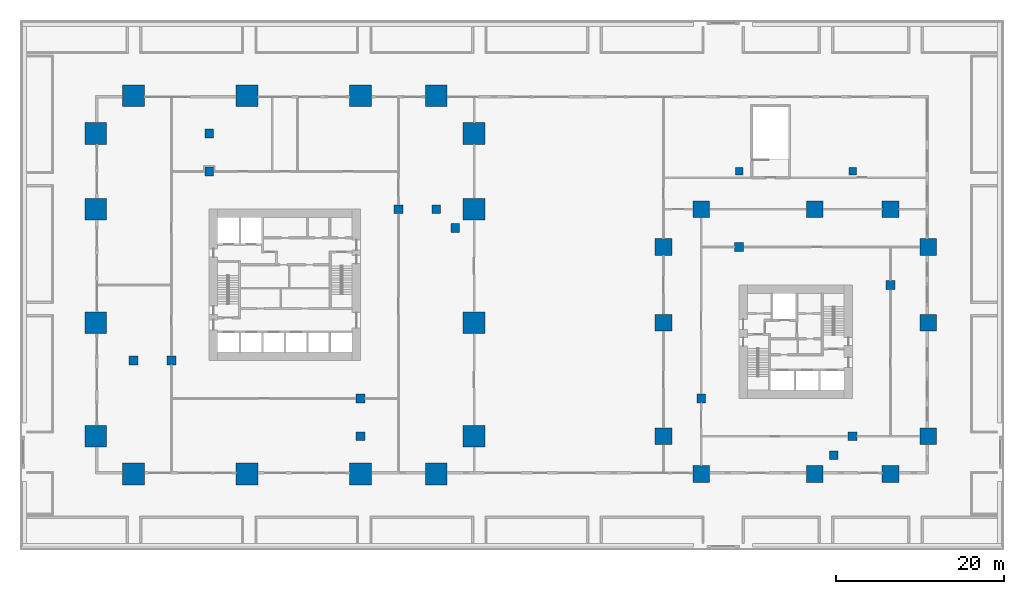
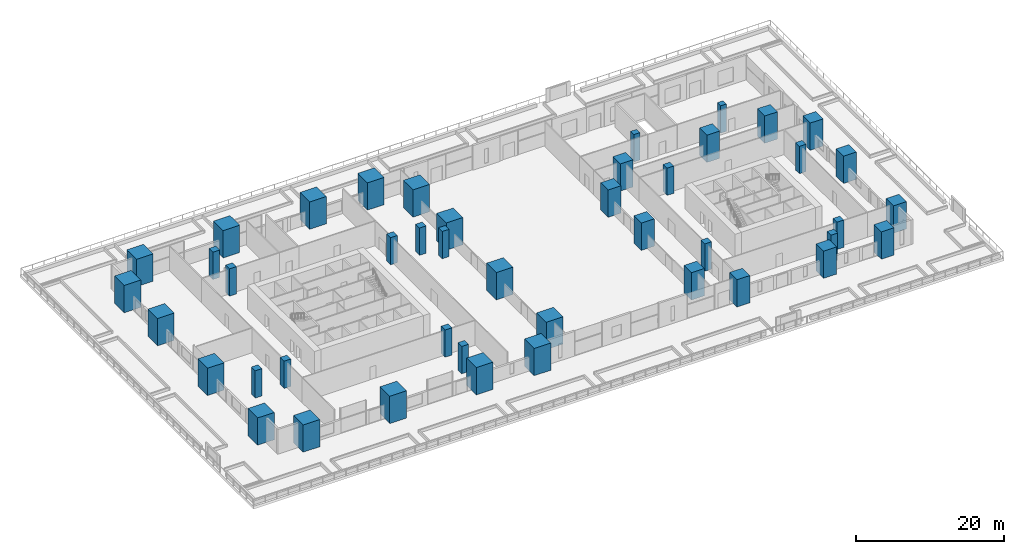
# One storey, part 1 of 26: 44 columns.
"""IFC4 building model written with IfcOpenShell, lengths in metres."""

from ifc_helpers import new_model, si_unit, direction, frame, origin, origin_2d, place, context, subcontext, project, spatial, rectangle, extrude, material, material_profile, profile_set, type_object, element, save


model = new_model("IFC4")

# Units and contexts
model_context = context("Model", 3, precision=1e-05, world=origin(), true_north=direction((0.0, 1.0)))
body_context = subcontext(model_context, "Body", "Model", "MODEL_VIEW")
ifc_project = project(units=[si_unit("LENGTHUNIT", "METRE"), si_unit("AREAUNIT", "SQUARE_METRE"), si_unit("VOLUMEUNIT", "CUBIC_METRE"), si_unit("PLANEANGLEUNIT", "RADIAN"), si_unit("MASSUNIT", "GRAM", prefix="KILO")], contexts=[model_context])

# Site, building, storey
site_placement = place(None, origin())
site = spatial("IfcSite", under=ifc_project, at=site_placement, CompositionType="ELEMENT")
building_placement = place(site_placement, origin())
building = spatial("IfcBuilding", under=site, at=building_placement, Name="Altepetl Exchange Towers", CompositionType="ELEMENT")
storey_placement = place(building_placement, frame((0.0, 0.0, 16.5)))
storey = spatial("IfcBuildingStorey", under=building, at=storey_placement, Name="L03 Podium terrace", CompositionType="ELEMENT", Elevation=16.5)

# Columns
ifc_material_1 = material(Name="Concrete C70/85", Category="concrete")
ifc_material_profile_1 = material_profile(ifc_material_1, rectangle(XDim=1.050048828125, YDim=1.050048828125, at=origin_2d()), Name="1050 x 1050")
ifc_profile_set_1 = profile_set([ifc_material_profile_1], Name="Concrete C70/85")
column_type_1 = type_object("IfcColumnType", Name="Interior column 1050", PredefinedType="COLUMN", material=ifc_profile_set_1)
for number, where, name in (
    (1, (31.5, 40.5, 0.0), "col:A:L03:040"),
    (2, (36.0, 40.5, 0.0), "col:A:L03:041"),
    (3, (40.5, 63.0, 0.0), "col:A:L03:042"),
    (4, (40.5, 67.5, 0.0), "col:A:L03:043"),
    (5, (58.5, 31.5, 0.0), "col:A:L03:044"),
    (6, (58.5, 36.0, 0.0), "col:A:L03:045"),
    (7, (63.0, 58.5, 0.0), "col:A:L03:046"),
    (8, (67.5, 58.5, 0.0), "col:A:L03:047"),
    (9, (69.75, 56.25, 0.0), "col:A:L03:048"),
    (10, (99.0, 36.0, 0.0), "col:B:L03:028"),
    (11, (103.5, 54.0, 0.0), "col:B:L03:029"),
    (12, (114.75, 29.25, 0.0), "col:B:L03:030"),
    (13, (117.0, 31.5, 0.0), "col:B:L03:031"),
    (14, (121.5, 49.5, 0.0), "col:B:L03:032"),
):
    element("IfcColumn", number, at=place(storey_placement, frame(where)), inside=storey, type_object=column_type_1, Name=name, PredefinedType="COLUMN", context=body_context, shape_type="SweptSolid", body=[
        extrude(rectangle(XDim=1.050048828125, YDim=1.050048828125, at=origin_2d()), origin(), (0.0, 0.0, 1.0), 4.5),
    ])
ifc_material_2 = material(Name="Concrete C70/85 precast with cantera amarilla facing", Category="concrete")
ifc_material_profile_2 = material_profile(ifc_material_2, rectangle(XDim=2.0, YDim=2.0, at=origin_2d()), Name="2000 x 2000")
ifc_profile_set_2 = profile_set([ifc_material_profile_2], Name="Concrete C70/85 precast with cantera amarilla facing")
column_type_2 = type_object("IfcColumnType", Name="Mega-column 2000 cantera amarilla", PredefinedType="COLUMN", material=ifc_profile_set_2)
for number, where, name in (
    (15, (112.5, 58.5, 0.0), "col:B:L03:m06"),
    (16, (121.5, 58.5, 0.0), "col:B:L03:m08"),
    (17, (126.0, 54.0, 0.0), "col:B:L03:m11"),
):
    element("IfcColumn", number, at=place(storey_placement, frame(where)), inside=storey, type_object=column_type_2, Name=name, PredefinedType="COLUMN", context=body_context, shape_type="SweptSolid", body=[
        extrude(rectangle(XDim=2.0, YDim=2.0, at=origin_2d()), origin(), (0.0, 0.0, 1.0), 4.5),
    ])
ifc_material_3 = material(Name="Concrete C70/85 precast with cantera blanca facing", Category="concrete")
ifc_material_profile_3 = material_profile(ifc_material_3, rectangle(XDim=2.0, YDim=2.0, at=origin_2d()), Name="2000 x 2000")
ifc_profile_set_3 = profile_set([ifc_material_profile_3], Name="Concrete C70/85 precast with cantera blanca facing")
column_type_3 = type_object("IfcColumnType", Name="Mega-column 2000 cantera blanca", PredefinedType="COLUMN", material=ifc_profile_set_3)
for number, where, name in (
    (18, (121.5, 27.0, 0.0), "col:B:L03:m07"),
    (19, (126.0, 31.5, 0.0), "col:B:L03:m09"),
    (20, (126.0, 45.0, 0.0), "col:B:L03:m10"),
):
    element("IfcColumn", number, at=place(storey_placement, frame(where)), inside=storey, type_object=column_type_3, Name=name, PredefinedType="COLUMN", context=body_context, shape_type="SweptSolid", body=[
        extrude(rectangle(XDim=2.0, YDim=2.0, at=origin_2d()), origin(), (0.0, 0.0, 1.0), 4.5),
    ])
ifc_material_4 = material(Name="Concrete C70/85 precast with cantera rosa facing", Category="concrete")
ifc_material_profile_4 = material_profile(ifc_material_4, rectangle(XDim=2.0, YDim=2.0, at=origin_2d()), Name="2000 x 2000")
ifc_profile_set_4 = profile_set([ifc_material_profile_4], Name="Concrete C70/85 precast with cantera rosa facing")
column_type_4 = type_object("IfcColumnType", Name="Mega-column 2000 cantera rosa", PredefinedType="COLUMN", material=ifc_profile_set_4)
for number, where, name in (
    (21, (94.5, 45.0, 0.0), "col:B:L03:m01"),
    (22, (94.5, 54.0, 0.0), "col:B:L03:m02"),
    (23, (99.0, 58.5, 0.0), "col:B:L03:m04"),
):
    element("IfcColumn", number, at=place(storey_placement, frame(where)), inside=storey, type_object=column_type_4, Name=name, PredefinedType="COLUMN", context=body_context, shape_type="SweptSolid", body=[
        extrude(rectangle(XDim=2.0, YDim=2.0, at=origin_2d()), origin(), (0.0, 0.0, 1.0), 4.5),
    ])
ifc_material_5 = material(Name="Concrete C70/85 precast with tezontle facing", Category="concrete")
ifc_material_profile_5 = material_profile(ifc_material_5, rectangle(XDim=2.0, YDim=2.0, at=origin_2d()), Name="2000 x 2000")
ifc_profile_set_5 = profile_set([ifc_material_profile_5], Name="Concrete C70/85 precast with tezontle facing")
column_type_5 = type_object("IfcColumnType", Name="Mega-column 2000 tezontle", PredefinedType="COLUMN", material=ifc_profile_set_5)
for number, where, name in (
    (24, (94.5, 31.5, 0.0), "col:B:L03:m00"),
    (25, (99.0, 27.0, 0.0), "col:B:L03:m03"),
    (26, (112.5, 27.0, 0.0), "col:B:L03:m05"),
):
    element("IfcColumn", number, at=place(storey_placement, frame(where)), inside=storey, type_object=column_type_5, Name=name, PredefinedType="COLUMN", context=body_context, shape_type="SweptSolid", body=[
        extrude(rectangle(XDim=2.0, YDim=2.0, at=origin_2d()), origin(), (0.0, 0.0, 1.0), 4.5),
    ])
ifc_material_profile_6 = material_profile(ifc_material_2, rectangle(XDim=2.60009765625, YDim=2.60009765625, at=origin_2d()), Name="2600 x 2600")
ifc_profile_set_6 = profile_set([ifc_material_profile_6], Name="Concrete C70/85 precast with cantera amarilla facing")
column_type_6 = type_object("IfcColumnType", Name="Mega-column 2600 cantera amarilla", PredefinedType="COLUMN", material=ifc_profile_set_6)
for number, where, name in (
    (27, (58.5, 27.0, 0.0), "col:A:L03:m08"),
    (28, (67.5, 27.0, 0.0), "col:A:L03:m10"),
    (29, (72.0, 31.5, 0.0), "col:A:L03:m12"),
    (30, (72.0, 45.0, 0.0), "col:A:L03:m13"),
):
    element("IfcColumn", number, at=place(storey_placement, frame(where)), inside=storey, type_object=column_type_6, Name=name, PredefinedType="COLUMN", context=body_context, shape_type="SweptSolid", body=[
        extrude(rectangle(XDim=2.60009765625, YDim=2.60009765625, at=origin_2d()), origin(), (0.0, 0.0, 1.0), 4.5),
    ])
ifc_material_profile_7 = material_profile(ifc_material_3, rectangle(XDim=2.60009765625, YDim=2.60009765625, at=origin_2d()), Name="2600 x 2600")
ifc_profile_set_7 = profile_set([ifc_material_profile_7], Name="Concrete C70/85 precast with cantera blanca facing")
column_type_7 = type_object("IfcColumnType", Name="Mega-column 2600 cantera blanca", PredefinedType="COLUMN", material=ifc_profile_set_7)
for number, where, name in (
    (31, (27.0, 31.5, 0.0), "col:A:L03:m00"),
    (32, (31.5, 27.0, 0.0), "col:A:L03:m04"),
    (33, (45.0, 27.0, 0.0), "col:A:L03:m06"),
):
    element("IfcColumn", number, at=place(storey_placement, frame(where)), inside=storey, type_object=column_type_7, Name=name, PredefinedType="COLUMN", context=body_context, shape_type="SweptSolid", body=[
        extrude(rectangle(XDim=2.60009765625, YDim=2.60009765625, at=origin_2d()), origin(), (0.0, 0.0, 1.0), 4.5),
    ])
ifc_material_profile_8 = material_profile(ifc_material_4, rectangle(XDim=2.60009765625, YDim=2.60009765625, at=origin_2d()), Name="2600 x 2600")
ifc_profile_set_8 = profile_set([ifc_material_profile_8], Name="Concrete C70/85 precast with cantera rosa facing")
column_type_8 = type_object("IfcColumnType", Name="Mega-column 2600 cantera rosa", PredefinedType="COLUMN", material=ifc_profile_set_8)
for number, where, name in (
    (34, (45.0, 72.0, 0.0), "col:A:L03:m07"),
    (35, (58.5, 72.0, 0.0), "col:A:L03:m09"),
    (36, (67.5, 72.0, 0.0), "col:A:L03:m11"),
    (37, (72.0, 58.5, 0.0), "col:A:L03:m14"),
    (38, (72.0, 67.5, 0.0), "col:A:L03:m15"),
):
    element("IfcColumn", number, at=place(storey_placement, frame(where)), inside=storey, type_object=column_type_8, Name=name, PredefinedType="COLUMN", context=body_context, shape_type="SweptSolid", body=[
        extrude(rectangle(XDim=2.60009765625, YDim=2.60009765625, at=origin_2d()), origin(), (0.0, 0.0, 1.0), 4.5),
    ])
ifc_material_profile_9 = material_profile(ifc_material_5, rectangle(XDim=2.60009765625, YDim=2.60009765625, at=origin_2d()), Name="2600 x 2600")
ifc_profile_set_9 = profile_set([ifc_material_profile_9], Name="Concrete C70/85 precast with tezontle facing")
column_type_9 = type_object("IfcColumnType", Name="Mega-column 2600 tezontle", PredefinedType="COLUMN", material=ifc_profile_set_9)
for number, where, name in (
    (39, (27.0, 45.0, 0.0), "col:A:L03:m01"),
    (40, (27.0, 58.5, 0.0), "col:A:L03:m02"),
    (41, (27.0, 67.5, 0.0), "col:A:L03:m03"),
    (42, (31.5, 72.0, 0.0), "col:A:L03:m05"),
):
    element("IfcColumn", number, at=place(storey_placement, frame(where)), inside=storey, type_object=column_type_9, Name=name, PredefinedType="COLUMN", context=body_context, shape_type="SweptSolid", body=[
        extrude(rectangle(XDim=2.60009765625, YDim=2.60009765625, at=origin_2d()), origin(), (0.0, 0.0, 1.0), 4.5),
    ])
ifc_material_profile_10 = material_profile(ifc_material_1, rectangle(XDim=0.89990234375, YDim=0.89990234375, at=origin_2d()), Name="900 x 900")
ifc_profile_set_10 = profile_set([ifc_material_profile_10], Name="Concrete C70/85")
column_type_10 = type_object("IfcColumnType", Name="Podium column 900", PredefinedType="COLUMN", material=ifc_profile_set_10)
for number, where, name in (
    (43, (103.5, 63.0, 0.0), "col:P:L03:000"),
    (44, (117.0, 63.0, 0.0), "col:P:L03:001"),
):
    element("IfcColumn", number, at=place(storey_placement, frame(where)), inside=storey, type_object=column_type_10, Name=name, PredefinedType="COLUMN", context=body_context, shape_type="SweptSolid", body=[
        extrude(rectangle(XDim=0.89990234375, YDim=0.89990234375, at=origin_2d()), origin(), (0.0, 0.0, 1.0), 4.5),
    ])

save(model, "model.ifc")
